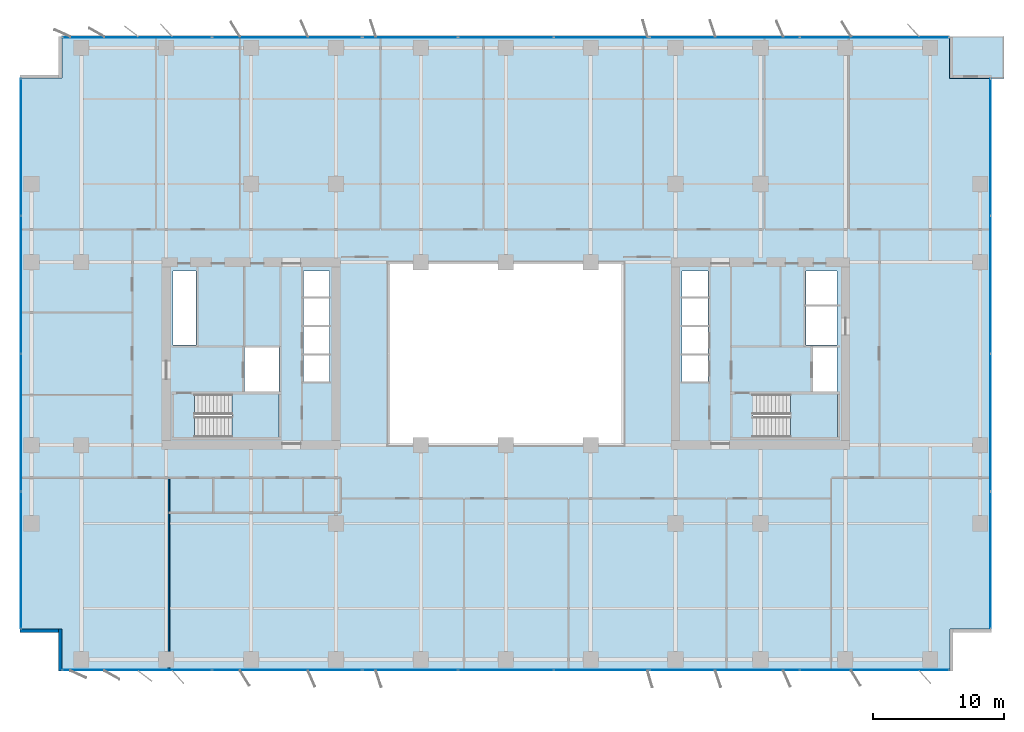
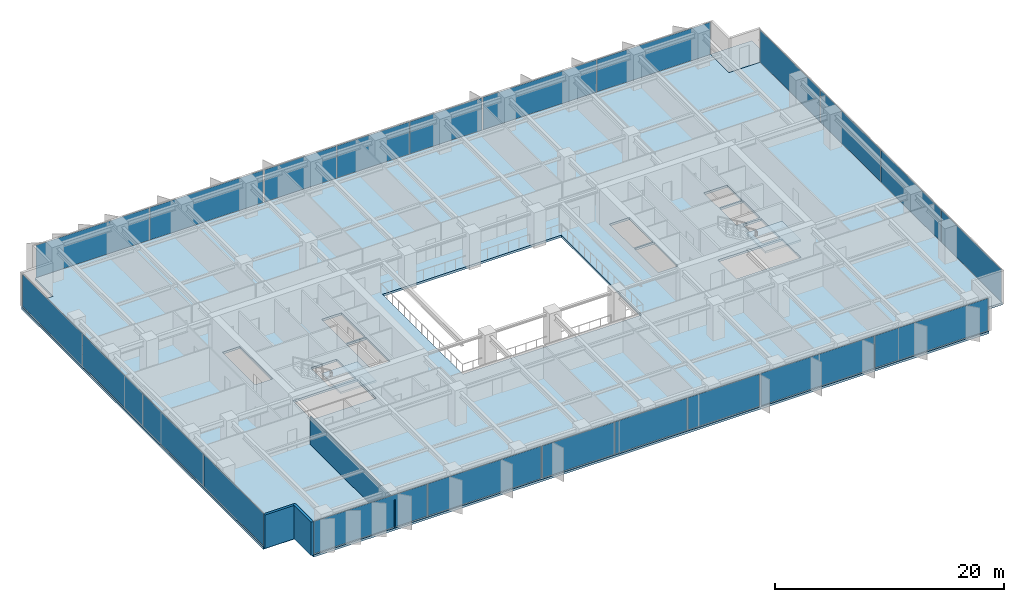
# One storey, part 12 of 20: 22 plates, 4 slabs, 3 walls, 10 elements without a shape of their own.
"""IFC4 building model written with IfcOpenShell, lengths in metres."""

from ifc_helpers import new_model, si_unit, direction, frame, frame_2d, origin, origin_2d, place, context, subcontext, project, spatial, polyline, rectangle, outline, extrude, material, layer, layer_set, type_object, element, aggregate, save


model = new_model("IFC4")

# Units and contexts
model_context = context("Model", 3, precision=1e-05, world=origin(), true_north=direction((0.0, 1.0)))
body_context = subcontext(model_context, "Body", "Model", "MODEL_VIEW")
ifc_project = project(units=[si_unit("LENGTHUNIT", "METRE"), si_unit("AREAUNIT", "SQUARE_METRE"), si_unit("VOLUMEUNIT", "CUBIC_METRE"), si_unit("PLANEANGLEUNIT", "RADIAN"), si_unit("MASSUNIT", "GRAM", prefix="KILO")], contexts=[model_context])

# Site, building, storey
site_placement = place(None, origin())
site = spatial("IfcSite", under=ifc_project, at=site_placement, CompositionType="ELEMENT")
building_placement = place(site_placement, origin())
building = spatial("IfcBuilding", under=site, at=building_placement, Name="Putna Gate Headquarters", CompositionType="ELEMENT")
storey_placement = place(building_placement, frame((0.0, 0.0, 124.0)))
storey = spatial("IfcBuildingStorey", under=building, at=storey_placement, Name="L30", CompositionType="ELEMENT", Elevation=124.0)

# Stair, slab
ifc_material_1 = material(Name="Concrete C40/50", Category="concrete")
stair_type_1 = type_object("IfcStairType", Name="STAIR-ST1", PredefinedType="HALF_TURN_STAIR", material=ifc_material_1)
stair_1_placement = place(storey_placement, origin())
stair_1 = element("IfcStair", 1, at=stair_1_placement, inside=storey, type_object=stair_type_1, Name="L30 West Core Exit Stair ST1", PredefinedType="HALF_TURN_STAIR")
ifc_layer_1 = layer(ifc_material_1, 0.199951171875)
ifc_layer_set_1 = layer_set([ifc_layer_1], Name="Concrete C40/50")
slab_type_1 = type_object("IfcSlabType", Name="LANDING-ST1", PredefinedType="LANDING", material=ifc_layer_set_1)
slab_1_placement = place(storey_placement, frame((0.0, 0.0, 1.699951171875)))
slab_1 = element("IfcSlab", 2, at=slab_1_placement, type_object=slab_type_1, Name="ST1 landing 1", PredefinedType="LANDING", context=body_context, shape_type="SweptSolid", body=[
    extrude(outline(polyline([(18.050048828125, 19.60009765625), (21.64990234375, 19.60009765625), (21.64990234375, 22.89990234375), (18.050048828125, 22.89990234375), (18.050048828125, 19.60009765625)])), origin(), (0.0, 0.0, 1.0), 0.199951171875),
])
aggregate(stair_1, [slab_1])

stair_type_2 = type_object("IfcStairType", Name="STAIR-ST2", PredefinedType="HALF_TURN_STAIR", material=ifc_material_1)
stair_2_placement = place(storey_placement, origin())
stair_2 = element("IfcStair", 3, at=stair_2_placement, inside=storey, type_object=stair_type_2, Name="L30 East Core Exit Stair ST2", PredefinedType="HALF_TURN_STAIR")
ifc_layer_2 = layer(ifc_material_1, 0.199951171875)
ifc_layer_set_2 = layer_set([ifc_layer_2], Name="Concrete C40/50")
slab_type_2 = type_object("IfcSlabType", Name="LANDING-ST2", PredefinedType="LANDING", material=ifc_layer_set_2)
slab_2_placement = place(storey_placement, frame((0.0, 0.0, 1.699951171875)))
slab_2 = element("IfcSlab", 4, at=slab_2_placement, type_object=slab_type_2, Name="ST2 landing 1", PredefinedType="LANDING", context=body_context, shape_type="SweptSolid", body=[
    extrude(outline(polyline([(60.800048828125, 19.60009765625), (64.39990234375, 19.60009765625), (64.39990234375, 22.89990234375), (60.800048828125, 22.89990234375), (60.800048828125, 19.60009765625)])), origin(), (0.0, 0.0, 1.0), 0.199951171875),
])
aggregate(stair_2, [slab_2])

# Curtain wall, plates
ifc_material_2 = material(Name="Anodised bronze aluminium curtain wall", Category="aluminium")
ifc_layer_3 = layer(ifc_material_2, 0.159912109375)
ifc_layer_set_3 = layer_set([ifc_layer_3], Name="Anodised bronze aluminium curtain wall")
curtain_wall_type_1 = type_object("IfcCurtainWallType", Name="CW-SYS-Z2", PredefinedType="USERDEFINED", material=ifc_layer_set_3)
curtain_wall_1_placement = place(storey_placement, origin())
curtain_wall_1 = element("IfcCurtainWall", 5, at=curtain_wall_1_placement, inside=storey, type_object=curtain_wall_type_1, Name="L30 South West Curtain Wall", ObjectType="STICK CURTAIN WALL", PredefinedType="USERDEFINED")
ifc_material_3 = material(Name="Solar-control triple low-E glass", Category="glass")
ifc_layer_4 = layer(ifc_material_3, 0.030029296875)
ifc_layer_set_4 = layer_set([ifc_layer_4], Name="Solar-control triple low-E glass")
plate_type_1 = type_object("IfcPlateType", Name="PAN-CWP-2", PredefinedType="CURTAIN_PANEL", material=ifc_layer_set_4)
plate_1_placement = place(storey_placement, frame((10.766357421875, 1.780029296875, 0.06494140625), z_axis=(0.0, 0.0, 1.0), x_axis=(1.0, 0.0, 0.0)))
plate_1 = element("IfcPlate", 6, at=plate_1_placement, type_object=plate_type_1, Name="CWS-2 panel 1.1", PredefinedType="CURTAIN_PANEL", context=body_context, shape_type="SweptSolid", body=[
    extrude(rectangle(XDim=11.402587890625, YDim=0.030029296875, at=origin_2d()), origin(), (0.0, 0.0, 1.0), 3.43505859375),
])
plate_2_placement = place(storey_placement, frame((22.233642578125, 1.780029296875, 0.06494140625), z_axis=(0.0, 0.0, 1.0), x_axis=(1.0, 0.0, 0.0)))
plate_2 = element("IfcPlate", 7, at=plate_2_placement, type_object=plate_type_1, Name="CWS-2 panel 2.1", PredefinedType="CURTAIN_PANEL", context=body_context, shape_type="SweptSolid", body=[
    extrude(rectangle(XDim=11.402587890625, YDim=0.030029296875, at=origin_2d()), origin(), (0.0, 0.0, 1.0), 3.43505859375),
])
aggregate(curtain_wall_1, [plate_1, plate_2])

curtain_wall_2_placement = place(storey_placement, origin())
curtain_wall_2 = element("IfcCurtainWall", 8, at=curtain_wall_2_placement, inside=storey, type_object=curtain_wall_type_1, Name="L30 South East Curtain Wall", ObjectType="STICK CURTAIN WALL", PredefinedType="USERDEFINED")
plate_3_placement = place(storey_placement, frame((55.766357421875, 1.780029296875, 0.06494140625), z_axis=(0.0, 0.0, 1.0), x_axis=(1.0, 0.0, 0.0)))
plate_3 = element("IfcPlate", 9, at=plate_3_placement, type_object=plate_type_1, Name="CWS-2 panel 1.1", PredefinedType="CURTAIN_PANEL", context=body_context, shape_type="SweptSolid", body=[
    extrude(rectangle(XDim=11.402587890625, YDim=0.030029296875, at=origin_2d()), origin(), (0.0, 0.0, 1.0), 3.43505859375),
])
plate_4_placement = place(storey_placement, frame((67.233642578125, 1.780029296875, 0.06494140625), z_axis=(0.0, 0.0, 1.0), x_axis=(1.0, 0.0, 0.0)))
plate_4 = element("IfcPlate", 10, at=plate_4_placement, type_object=plate_type_1, Name="CWS-2 panel 2.1", PredefinedType="CURTAIN_PANEL", context=body_context, shape_type="SweptSolid", body=[
    extrude(rectangle(XDim=11.402587890625, YDim=0.030029296875, at=origin_2d()), origin(), (0.0, 0.0, 1.0), 3.43505859375),
])
aggregate(curtain_wall_2, [plate_3, plate_4])

curtain_wall_3_placement = place(storey_placement, origin())
curtain_wall_3 = element("IfcCurtainWall", 11, at=curtain_wall_3_placement, inside=storey, type_object=curtain_wall_type_1, Name="L30 North West Curtain Wall", ObjectType="STICK CURTAIN WALL", PredefinedType="USERDEFINED")
plate_5_placement = place(storey_placement, frame((10.766357421875, 50.219970703125, 0.06494140625), z_axis=(0.0, 0.0, 1.0), x_axis=(1.0, 0.0, 0.0)))
plate_5 = element("IfcPlate", 12, at=plate_5_placement, type_object=plate_type_1, Name="CWS-2 panel 1.1", PredefinedType="CURTAIN_PANEL", context=body_context, shape_type="SweptSolid", body=[
    extrude(rectangle(XDim=11.402587890625, YDim=0.030029296875, at=origin_2d()), origin(), (0.0, 0.0, 1.0), 3.43505859375),
])
plate_6_placement = place(storey_placement, frame((22.233642578125, 50.219970703125, 0.06494140625), z_axis=(0.0, 0.0, 1.0), x_axis=(1.0, 0.0, 0.0)))
plate_6 = element("IfcPlate", 13, at=plate_6_placement, type_object=plate_type_1, Name="CWS-2 panel 2.1", PredefinedType="CURTAIN_PANEL", context=body_context, shape_type="SweptSolid", body=[
    extrude(rectangle(XDim=11.402587890625, YDim=0.030029296875, at=origin_2d()), origin(), (0.0, 0.0, 1.0), 3.43505859375),
])
aggregate(curtain_wall_3, [plate_5, plate_6])

curtain_wall_4_placement = place(storey_placement, origin())
curtain_wall_4 = element("IfcCurtainWall", 14, at=curtain_wall_4_placement, inside=storey, type_object=curtain_wall_type_1, Name="L30 North East Curtain Wall", ObjectType="STICK CURTAIN WALL", PredefinedType="USERDEFINED")
plate_7_placement = place(storey_placement, frame((55.766357421875, 50.219970703125, 0.06494140625), z_axis=(0.0, 0.0, 1.0), x_axis=(1.0, 0.0, 0.0)))
plate_7 = element("IfcPlate", 15, at=plate_7_placement, type_object=plate_type_1, Name="CWS-2 panel 1.1", PredefinedType="CURTAIN_PANEL", context=body_context, shape_type="SweptSolid", body=[
    extrude(rectangle(XDim=11.402587890625, YDim=0.030029296875, at=origin_2d()), origin(), (0.0, 0.0, 1.0), 3.43505859375),
])
plate_8_placement = place(storey_placement, frame((67.233642578125, 50.219970703125, 0.06494140625), z_axis=(0.0, 0.0, 1.0), x_axis=(1.0, 0.0, 0.0)))
plate_8 = element("IfcPlate", 16, at=plate_8_placement, type_object=plate_type_1, Name="CWS-2 panel 2.1", PredefinedType="CURTAIN_PANEL", context=body_context, shape_type="SweptSolid", body=[
    extrude(rectangle(XDim=11.402587890625, YDim=0.030029296875, at=origin_2d()), origin(), (0.0, 0.0, 1.0), 3.43505859375),
])
aggregate(curtain_wall_4, [plate_7, plate_8])

curtain_wall_5_placement = place(storey_placement, origin())
curtain_wall_5 = element("IfcCurtainWall", 17, at=curtain_wall_5_placement, inside=storey, type_object=curtain_wall_type_1, Name="L30 West Curtain Wall", ObjectType="STICK CURTAIN WALL", PredefinedType="USERDEFINED")
plate_9_placement = place(storey_placement, frame((1.8798828125, 10.191162109375, 0.06494140625), z_axis=(0.0, 0.0, 1.0), x_axis=(0.0, 1.0, 0.0)))
plate_9 = element("IfcPlate", 18, at=plate_9_placement, type_object=plate_type_1, Name="CWS-2 panel 1.1", PredefinedType="CURTAIN_PANEL", context=body_context, shape_type="SweptSolid", body=[
    extrude(rectangle(XDim=10.452392578125, YDim=0.030029296875, at=origin_2d()), origin(), (0.0, 0.0, 1.0), 3.43505859375),
])
plate_10_placement = place(storey_placement, frame((1.8798828125, 20.72509765625, 0.06494140625), z_axis=(0.0, 0.0, 1.0), x_axis=(0.0, 1.0, 0.0)))
plate_10 = element("IfcPlate", 19, at=plate_10_placement, type_object=plate_type_1, Name="CWS-2 panel 2.1", PredefinedType="CURTAIN_PANEL", context=body_context, shape_type="SweptSolid", body=[
    extrude(rectangle(XDim=10.485107421875, YDim=0.030029296875, at=origin_2d()), origin(), (0.0, 0.0, 1.0), 3.43505859375),
])
plate_11_placement = place(storey_placement, frame((1.8798828125, 31.27490234375, 0.06494140625), z_axis=(0.0, 0.0, 1.0), x_axis=(0.0, 1.0, 0.0)))
plate_11 = element("IfcPlate", 20, at=plate_11_placement, type_object=plate_type_1, Name="CWS-2 panel 3.1", PredefinedType="CURTAIN_PANEL", context=body_context, shape_type="SweptSolid", body=[
    extrude(rectangle(XDim=10.485107421875, YDim=0.030029296875, at=origin_2d()), origin(), (0.0, 0.0, 1.0), 3.43505859375),
])
plate_12_placement = place(storey_placement, frame((1.8798828125, 41.808837890625, 0.06494140625), z_axis=(0.0, 0.0, 1.0), x_axis=(0.0, 1.0, 0.0)))
plate_12 = element("IfcPlate", 21, at=plate_12_placement, type_object=plate_type_1, Name="CWS-2 panel 4.1", PredefinedType="CURTAIN_PANEL", context=body_context, shape_type="SweptSolid", body=[
    extrude(rectangle(XDim=10.452392578125, YDim=0.030029296875, at=origin_2d()), origin(), (0.0, 0.0, 1.0), 3.43505859375),
])
aggregate(curtain_wall_5, [plate_9, plate_10, plate_11, plate_12])

curtain_wall_6_placement = place(storey_placement, origin())
curtain_wall_6 = element("IfcCurtainWall", 22, at=curtain_wall_6_placement, inside=storey, type_object=curtain_wall_type_1, Name="L30 East Curtain Wall", ObjectType="STICK CURTAIN WALL", PredefinedType="USERDEFINED")
plate_13_placement = place(storey_placement, frame((76.1201171875, 10.191162109375, 0.06494140625), z_axis=(0.0, 0.0, 1.0), x_axis=(0.0, 1.0, 0.0)))
plate_13 = element("IfcPlate", 23, at=plate_13_placement, type_object=plate_type_1, Name="CWS-2 panel 1.1", PredefinedType="CURTAIN_PANEL", context=body_context, shape_type="SweptSolid", body=[
    extrude(rectangle(XDim=10.452392578125, YDim=0.030029296875, at=origin_2d()), origin(), (0.0, 0.0, 1.0), 3.43505859375),
])
plate_14_placement = place(storey_placement, frame((76.1201171875, 20.72509765625, 0.06494140625), z_axis=(0.0, 0.0, 1.0), x_axis=(0.0, 1.0, 0.0)))
plate_14 = element("IfcPlate", 24, at=plate_14_placement, type_object=plate_type_1, Name="CWS-2 panel 2.1", PredefinedType="CURTAIN_PANEL", context=body_context, shape_type="SweptSolid", body=[
    extrude(rectangle(XDim=10.485107421875, YDim=0.030029296875, at=origin_2d()), origin(), (0.0, 0.0, 1.0), 3.43505859375),
])
plate_15_placement = place(storey_placement, frame((76.1201171875, 31.27490234375, 0.06494140625), z_axis=(0.0, 0.0, 1.0), x_axis=(0.0, 1.0, 0.0)))
plate_15 = element("IfcPlate", 25, at=plate_15_placement, type_object=plate_type_1, Name="CWS-2 panel 3.1", PredefinedType="CURTAIN_PANEL", context=body_context, shape_type="SweptSolid", body=[
    extrude(rectangle(XDim=10.485107421875, YDim=0.030029296875, at=origin_2d()), origin(), (0.0, 0.0, 1.0), 3.43505859375),
])
plate_16_placement = place(storey_placement, frame((76.1201171875, 41.808837890625, 0.06494140625), z_axis=(0.0, 0.0, 1.0), x_axis=(0.0, 1.0, 0.0)))
plate_16 = element("IfcPlate", 26, at=plate_16_placement, type_object=plate_type_1, Name="CWS-2 panel 4.1", PredefinedType="CURTAIN_PANEL", context=body_context, shape_type="SweptSolid", body=[
    extrude(rectangle(XDim=10.452392578125, YDim=0.030029296875, at=origin_2d()), origin(), (0.0, 0.0, 1.0), 3.43505859375),
])
aggregate(curtain_wall_6, [plate_13, plate_14, plate_15, plate_16])

ifc_layer_5 = layer(ifc_material_2, 0.179931640625)
ifc_layer_set_5 = layer_set([ifc_layer_5], Name="Anodised bronze aluminium curtain wall")
curtain_wall_type_2 = type_object("IfcCurtainWallType", Name="CW-SYS-ATR", PredefinedType="USERDEFINED", material=ifc_layer_set_5)
curtain_wall_7_placement = place(storey_placement, origin())
curtain_wall_7 = element("IfcCurtainWall", 27, at=curtain_wall_7_placement, inside=storey, type_object=curtain_wall_type_2, Name="L30 South Atrium Clear Glazing", ObjectType="ATRIUM GLAZING", PredefinedType="USERDEFINED")
ifc_material_4 = material(Name="Clear low-iron triple glazing", Category="glass")
ifc_layer_6 = layer(ifc_material_4, 0.0400390625)
ifc_layer_set_6 = layer_set([ifc_layer_6], Name="Clear low-iron triple glazing")
plate_type_2 = type_object("IfcPlateType", Name="PAN-CWP-AT", PredefinedType="CURTAIN_PANEL", material=ifc_layer_set_6)
plate_17_placement = place(storey_placement, frame((31.68408203125, 1.780029296875, 0.06982421875), z_axis=(0.0, 0.0, 1.0), x_axis=(1.0, 0.0, 0.0)))
plate_17 = element("IfcPlate", 28, at=plate_17_placement, type_object=plate_type_2, Name="CWS-AT panel 1.1", PredefinedType="CURTAIN_PANEL", context=body_context, shape_type="SweptSolid", body=[
    extrude(rectangle(XDim=7.228271484375, YDim=0.0400390625, at=origin_2d()), origin(), (0.0, 0.0, 1.0), 3.425048828125),
])
plate_18_placement = place(storey_placement, frame((39.0, 1.780029296875, 0.06982421875), z_axis=(0.0, 0.0, 1.0), x_axis=(1.0, 0.0, 0.0)))
plate_18 = element("IfcPlate", 29, at=plate_18_placement, type_object=plate_type_2, Name="CWS-AT panel 2.1", PredefinedType="CURTAIN_PANEL", context=body_context, shape_type="SweptSolid", body=[
    extrude(rectangle(XDim=7.263427734375, YDim=0.0400390625, at=origin_2d()), origin(), (0.0, 0.0, 1.0), 3.425048828125),
])
plate_19_placement = place(storey_placement, frame((46.31591796875, 1.780029296875, 0.06982421875), z_axis=(0.0, 0.0, 1.0), x_axis=(1.0, 0.0, 0.0)))
plate_19 = element("IfcPlate", 30, at=plate_19_placement, type_object=plate_type_2, Name="CWS-AT panel 3.1", PredefinedType="CURTAIN_PANEL", context=body_context, shape_type="SweptSolid", body=[
    extrude(rectangle(XDim=7.228271484375, YDim=0.0400390625, at=origin_2d()), origin(), (0.0, 0.0, 1.0), 3.425048828125),
])
aggregate(curtain_wall_7, [plate_17, plate_18, plate_19])

curtain_wall_8_placement = place(storey_placement, origin())
curtain_wall_8 = element("IfcCurtainWall", 31, at=curtain_wall_8_placement, inside=storey, type_object=curtain_wall_type_2, Name="L30 North Atrium Clear Glazing", ObjectType="ATRIUM GLAZING", PredefinedType="USERDEFINED")
plate_20_placement = place(storey_placement, frame((31.68408203125, 50.219970703125, 0.06982421875), z_axis=(0.0, 0.0, 1.0), x_axis=(1.0, 0.0, 0.0)))
plate_20 = element("IfcPlate", 32, at=plate_20_placement, type_object=plate_type_2, Name="CWS-AT panel 1.1", PredefinedType="CURTAIN_PANEL", context=body_context, shape_type="SweptSolid", body=[
    extrude(rectangle(XDim=7.228271484375, YDim=0.0400390625, at=origin_2d()), origin(), (0.0, 0.0, 1.0), 3.425048828125),
])
plate_21_placement = place(storey_placement, frame((39.0, 50.219970703125, 0.06982421875), z_axis=(0.0, 0.0, 1.0), x_axis=(1.0, 0.0, 0.0)))
plate_21 = element("IfcPlate", 33, at=plate_21_placement, type_object=plate_type_2, Name="CWS-AT panel 2.1", PredefinedType="CURTAIN_PANEL", context=body_context, shape_type="SweptSolid", body=[
    extrude(rectangle(XDim=7.263427734375, YDim=0.0400390625, at=origin_2d()), origin(), (0.0, 0.0, 1.0), 3.425048828125),
])
plate_22_placement = place(storey_placement, frame((46.31591796875, 50.219970703125, 0.06982421875), z_axis=(0.0, 0.0, 1.0), x_axis=(1.0, 0.0, 0.0)))
plate_22 = element("IfcPlate", 34, at=plate_22_placement, type_object=plate_type_2, Name="CWS-AT panel 3.1", PredefinedType="CURTAIN_PANEL", context=body_context, shape_type="SweptSolid", body=[
    extrude(rectangle(XDim=7.228271484375, YDim=0.0400390625, at=origin_2d()), origin(), (0.0, 0.0, 1.0), 3.425048828125),
])
aggregate(curtain_wall_8, [plate_20, plate_21, plate_22])

# Slabs
ifc_layer_7 = layer(ifc_material_1, 0.179931640625)
ifc_layer_set_7 = layer_set([ifc_layer_7], Name="Concrete C40/50")
slab_type_3 = type_object("IfcSlabType", Name="SLAB-TERRACE-180", PredefinedType="FLOOR", material=ifc_layer_set_7)
slab_3_placement = place(storey_placement, frame((0.0, 0.0, -0.179931640625)))
element("IfcSlab", 35, at=slab_3_placement, inside=storey, type_object=slab_type_3, Name="L30 Spiral Sky-Garden Terrace Slab (NE)", PredefinedType="FLOOR", context=body_context, shape_type="SweptSolid", body=[
    extrude(outline(polyline([(72.991943359375, 47.092041015625), (77.14990234375, 47.092041015625), (77.14990234375, 50.300048828125), (72.991943359375, 50.300048828125), (72.991943359375, 47.092041015625)])), origin(), (0.0, 0.0, 1.0), 0.179931640625),
])
ifc_layer_8 = layer(ifc_material_1, 0.235107421875)
ifc_layer_set_8 = layer_set([ifc_layer_8], Name="Concrete C40/50")
slab_type_4 = type_object("IfcSlabType", Name="SLAB-Z2-235", PredefinedType="FLOOR", material=ifc_layer_set_8)
slab_4_placement = place(storey_placement, frame((0.0, 0.0, -0.235107421875)))
element("IfcSlab", 36, at=slab_4_placement, inside=storey, type_object=slab_type_4, Name="L30 Composite Floor Slab", PredefinedType="FLOOR", context=body_context, shape_type="SweptSolid", body=[
    extrude(outline(polyline([(5.0, 1.699951171875), (73.0, 1.699951171875), (73.0, 4.89990234375), (76.199951171875, 4.89990234375), (76.199951171875, 47.10009765625), (73.0, 47.10009765625), (73.0, 50.300048828125), (5.0, 50.300048828125), (5.0, 47.10009765625), (1.800048828125, 47.10009765625), (1.800048828125, 4.89990234375), (5.0, 4.89990234375), (5.0, 1.699951171875)]), holes=[polyline([(15.1650390625, 19.60009765625), (21.64990234375, 19.60009765625), (21.64990234375, 22.89990234375), (15.1650390625, 22.89990234375), (15.1650390625, 19.60009765625)]), polyline([(57.9150390625, 19.60009765625), (64.39990234375, 19.60009765625), (64.39990234375, 22.89990234375), (57.9150390625, 22.89990234375), (57.9150390625, 19.60009765625)]), polyline([(13.52001953125, 26.659912109375), (15.280029296875, 26.659912109375), (15.280029296875, 32.35009765625), (13.52001953125, 32.35009765625), (13.52001953125, 26.659912109375)]), polyline([(61.969970703125, 29.780029296875), (64.35009765625, 29.780029296875), (64.35009765625, 32.35009765625), (61.969970703125, 32.35009765625), (61.969970703125, 29.780029296875)]), polyline([(18.97998046875, 23.1201171875), (21.6201171875, 23.1201171875), (21.6201171875, 26.4599609375), (18.97998046875, 26.4599609375), (18.97998046875, 23.1201171875)]), polyline([(62.52001953125, 23.1201171875), (64.35009765625, 23.1201171875), (64.35009765625, 26.4599609375), (62.52001953125, 26.4599609375), (62.52001953125, 23.1201171875)]), polyline([(61.969970703125, 26.659912109375), (64.35009765625, 26.659912109375), (64.35009765625, 29.6201171875), (61.969970703125, 29.6201171875), (61.969970703125, 26.659912109375)]), polyline([(23.5, 23.860107421875), (25.5, 23.860107421875), (25.5, 28.0400390625), (23.5, 28.0400390625), (23.5, 23.860107421875)]), polyline([(52.47998046875, 23.860107421875), (54.5, 23.860107421875), (54.5, 28.0400390625), (52.47998046875, 28.0400390625), (52.47998046875, 23.860107421875)]), polyline([(23.5, 28.199951171875), (25.5, 28.199951171875), (25.5, 32.35009765625), (23.5, 32.35009765625), (23.5, 28.199951171875)]), polyline([(52.47998046875, 28.199951171875), (54.5, 28.199951171875), (54.5, 32.35009765625), (52.47998046875, 32.35009765625), (52.47998046875, 28.199951171875)]), polyline([(30.0, 19.0), (48.0, 19.0), (48.0, 33.0), (30.0, 33.0), (30.0, 19.0)])]), origin(), (0.0, 0.0, 1.0), 0.235107421875),
])

# Walls
ifc_material_5 = material(Name="Precast concrete C40/50", Category="concrete")
ifc_layer_9 = layer(ifc_material_5, 0.239990234375)
ifc_layer_set_9 = layer_set([ifc_layer_9], Name="Precast concrete C40/50")
wall_type_1 = type_object("IfcWallType", Name="WALL-EXT-TERR-240", PredefinedType="STANDARD", material=ifc_layer_set_9)
for number, where, z_axis, x_axis, name in (
    (37, (4.8798828125, 1.699951171875, 0.0), (0.0, 0.0, 1.0), (0.0, 1.0, 0.0), "L30 Corner Notch Return Wall SW-V"),
    (38, (5.0, 4.780029296875, 0.0), (0.0, 0.0, 1.0), (-1.0, 0.0, 0.0), "L30 Corner Notch Return Wall SW-H"),
):
    element("IfcWall", number, at=place(storey_placement, frame(where, z_axis=z_axis, x_axis=x_axis)), inside=storey, type_object=wall_type_1, Name=name, PredefinedType="STANDARD", context=body_context, shape_type="SweptSolid", body=[
        extrude(rectangle(XDim=3.199951171875, YDim=0.239990234375, at=frame_2d((1.60009765625, 0.0))), origin(), (0.0, 0.0, 1.0), 3.56494140625),
    ])
ifc_material_6 = material(Name="Acoustic gypsum board on metal stud")
ifc_layer_10 = layer(ifc_material_6, 0.1201171875)
ifc_layer_set_10 = layer_set([ifc_layer_10], Name="Acoustic gypsum board on metal stud")
wall_type_2 = type_object("IfcWallType", Name="WALL-PART-120", PredefinedType="PARTITIONING", material=ifc_layer_set_10)
wall_placement = place(storey_placement, frame((13.199951171875, 1.719970703125, 0.0), z_axis=(0.0, 0.0, 1.0), x_axis=(0.0, 1.0, 0.0)))
element("IfcWall", 39, at=wall_placement, inside=storey, type_object=wall_type_2, Name="L30 Interior Wall PART-L30-SB-DIV-01", PredefinedType="PARTITIONING", context=body_context, shape_type="SweptSolid", body=[
    extrude(rectangle(XDim=14.719970703125, YDim=0.1201171875, at=frame_2d((7.35986328125, 0.0))), origin(), (0.0, 0.0, 1.0), 2.965087890625),
])

save(model, "model.ifc")
